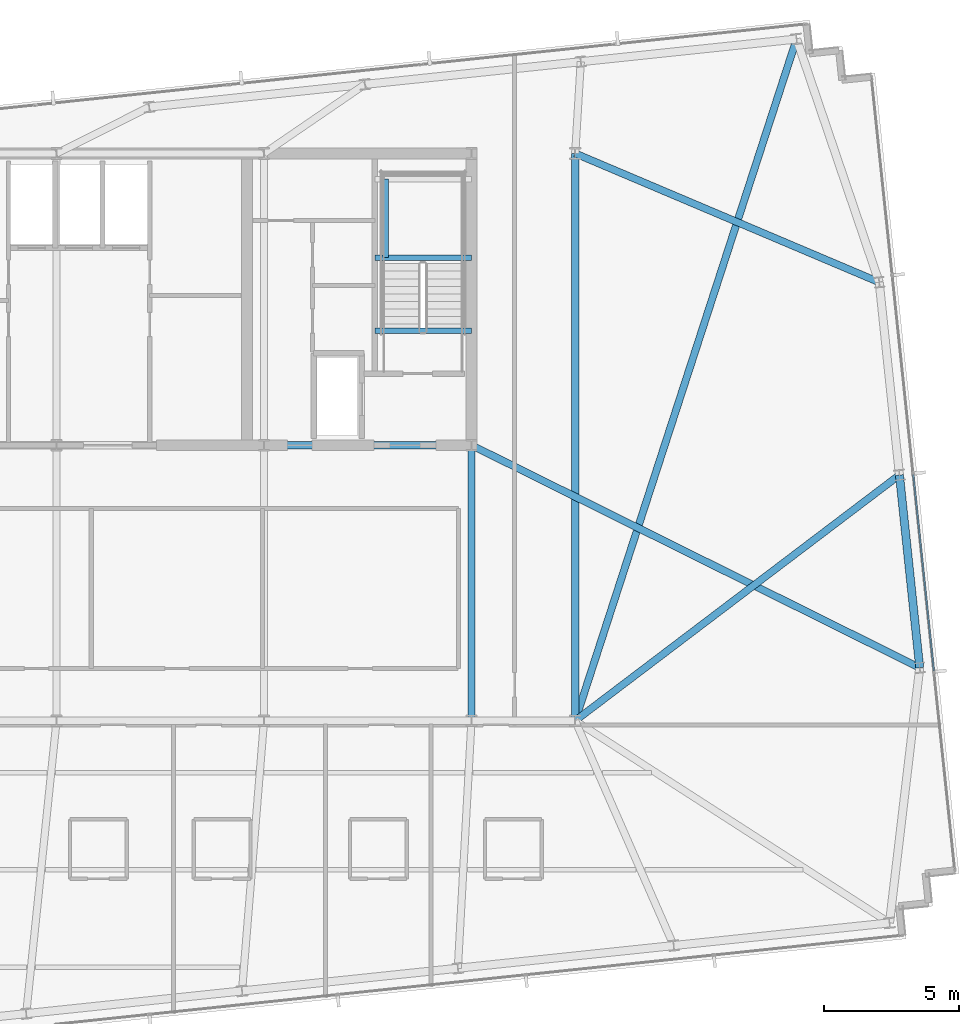
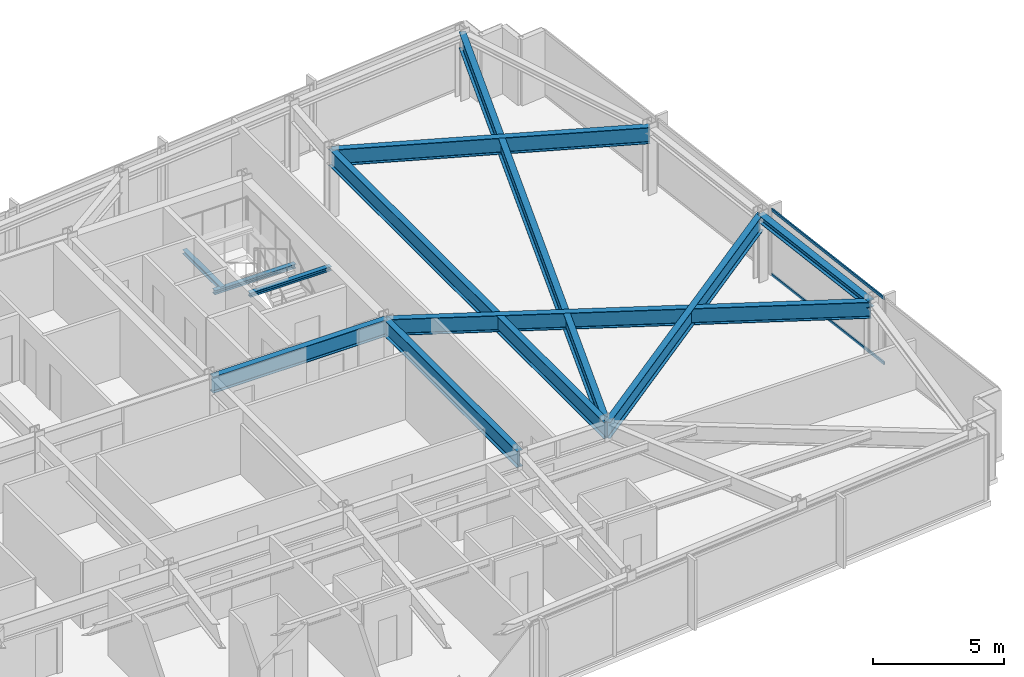
# One storey, part 18 of 33: 11 beams, 2 members, 1 element without a shape of its own.
"""IFC4 building model written with IfcOpenShell, lengths in metres."""

from ifc_helpers import new_model, si_unit, direction, frame, origin, origin_2d, place, context, subcontext, project, spatial, hollow_rectangle, i_section, extrude, material, material_profile, profile_set, type_object, element, aggregate, save


model = new_model("IFC4")

# Units and contexts
model_context = context("Model", 3, precision=1e-05, world=origin(), true_north=direction((0.0, 1.0)))
body_context = subcontext(model_context, "Body", "Model", "MODEL_VIEW")
ifc_project = project(units=[si_unit("LENGTHUNIT", "METRE"), si_unit("AREAUNIT", "SQUARE_METRE"), si_unit("VOLUMEUNIT", "CUBIC_METRE"), si_unit("PLANEANGLEUNIT", "RADIAN"), si_unit("MASSUNIT", "GRAM", prefix="KILO")], contexts=[model_context])

# Site, building, storey
site_placement = place(None, origin())
site = spatial("IfcSite", under=ifc_project, at=site_placement, CompositionType="ELEMENT")
building_placement = place(site_placement, origin())
building = spatial("IfcBuilding", under=site, at=building_placement, Name="Yelkora Congress Tower", CompositionType="ELEMENT")
storey_placement = place(building_placement, frame((0.0, 0.0, 240.800048828125)))
storey = spatial("IfcBuildingStorey", under=building, at=storey_placement, Name="L67", CompositionType="ELEMENT", Elevation=240.800048828125)

# Beams
ifc_material_1 = material(Name="Steel S355J2", Category="steel")
ifc_material_profile_1 = material_profile(ifc_material_1, i_section(OverallWidth=0.26708984375, OverallDepth=0.761962890625, WebThickness=0.014404296875, FlangeThickness=0.021484375, FilletRadius=0.01708984375, at=origin_2d()), Name="IPE 750x173")
ifc_profile_set_1 = profile_set([ifc_material_profile_1], Name="Steel S355J2")
beam_type_1 = type_object("IfcBeamType", Name="BM-GIRD-IPE750", PredefinedType="BEAM", material=ifc_profile_set_1)
beam_1_placement = place(storey_placement, frame((46.080078125, 35.39990234375, 2.698974609375), z_axis=(1.0, 0.0, 0.0), x_axis=(0.0, 1.0, 0.0)))
element("IfcBeam", 1, at=beam_1_placement, inside=storey, type_object=beam_type_1, Name="L67 Core South Girder 4", PredefinedType="BEAM", context=body_context, shape_type="SweptSolid", body=[
    extrude(i_section(OverallWidth=0.26708984375, OverallDepth=0.761962890625, WebThickness=0.014404296875, FlangeThickness=0.021484375, FilletRadius=0.01708984375, at=origin_2d()), origin(), (0.0, 0.0, 1.0), 7.679931640625),
])
beam_2_placement = place(storey_placement, frame((53.760009765625, 25.199951171875, 2.698974609375), z_axis=(0.0, 1.0, 0.0), x_axis=(-1.0, 0.0, 0.0)))
element("IfcBeam", 2, at=beam_2_placement, inside=storey, type_object=beam_type_1, Name="L67 Core Tie Girder MC-D5", PredefinedType="BEAM", context=body_context, shape_type="SweptSolid", body=[
    extrude(i_section(OverallWidth=0.26708984375, OverallDepth=0.761962890625, WebThickness=0.014404296875, FlangeThickness=0.021484375, FilletRadius=0.01708984375, at=origin_2d()), origin(), (0.0, 0.0, 1.0), 10.199951171875),
])
beam_3_placement = place(storey_placement, frame((57.60009765625, 25.199951171875, 2.698974609375), z_axis=(0.0, 1.0, 0.0), x_axis=(-1.0, 0.0, 0.0)))
element("IfcBeam", 3, at=beam_3_placement, inside=storey, type_object=beam_type_1, Name="L67 Neck Flank Girder MC-F2", PredefinedType="BEAM", context=body_context, shape_type="SweptSolid", body=[
    extrude(i_section(OverallWidth=0.26708984375, OverallDepth=0.761962890625, WebThickness=0.014404296875, FlangeThickness=0.021484375, FilletRadius=0.01708984375, at=origin_2d()), origin(), (0.0, 0.0, 1.0), 21.0),
])
beam_4_placement = place(storey_placement, frame((65.7958984375, 50.4365234375, 2.698974609375), z_axis=(-0.308878638672, -0.951101459663, 0.0), x_axis=(0.951101459663, -0.308878638672, 0.0)))
element("IfcBeam", 4, at=beam_4_placement, inside=storey, type_object=beam_type_1, Name="L67 Primary Frame Girder N07", PredefinedType="BEAM", context=body_context, shape_type="SweptSolid", body=[
    extrude(i_section(OverallWidth=0.26708984375, OverallDepth=0.761962890625, WebThickness=0.014404296875, FlangeThickness=0.021484375, FilletRadius=0.01708984375, at=origin_2d()), origin(), (0.0, 0.0, 1.0), 26.533935546875),
])
beam_5_placement = place(storey_placement, frame((70.35400390625, 27.160400390625, 2.698974609375), z_axis=(-0.895665070913, 0.444729221826, 0.0), x_axis=(-0.444729221826, -0.895665070913, 0.0)))
element("IfcBeam", 5, at=beam_5_placement, inside=storey, type_object=beam_type_1, Name="L67 Primary Frame Girder E01", PredefinedType="BEAM", context=body_context, shape_type="SweptSolid", body=[
    extrude(i_section(OverallWidth=0.26708984375, OverallDepth=0.761962890625, WebThickness=0.014404296875, FlangeThickness=0.021484375, FilletRadius=0.01708984375, at=origin_2d()), origin(), (0.0, 0.0, 1.0), 18.527099609375),
])
beam_6_placement = place(storey_placement, frame((69.60400390625, 34.296142578125, 2.698974609375), z_axis=(-0.797017901034, -0.603955681678, 0.0), x_axis=(0.603955681678, -0.797017901034, 0.0)))
element("IfcBeam", 6, at=beam_6_placement, inside=storey, type_object=beam_type_1, Name="L67 Primary Frame Girder E02", PredefinedType="BEAM", context=body_context, shape_type="SweptSolid", body=[
    extrude(i_section(OverallWidth=0.26708984375, OverallDepth=0.761962890625, WebThickness=0.014404296875, FlangeThickness=0.021484375, FilletRadius=0.01708984375, at=origin_2d()), origin(), (0.0, 0.0, 1.0), 15.06103515625),
])
beam_7_placement = place(storey_placement, frame((68.85400390625, 41.431884765625, 2.698974609375), z_axis=(-0.920767530621, 0.390111720606, 0.0), x_axis=(-0.390111720606, -0.920767530621, 0.0)))
element("IfcBeam", 7, at=beam_7_placement, inside=storey, type_object=beam_type_1, Name="L67 Primary Frame Girder E03", PredefinedType="BEAM", context=body_context, shape_type="SweptSolid", body=[
    extrude(i_section(OverallWidth=0.26708984375, OverallDepth=0.761962890625, WebThickness=0.014404296875, FlangeThickness=0.021484375, FilletRadius=0.01708984375, at=origin_2d()), origin(), (0.0, 0.0, 1.0), 12.222412109375),
])
ifc_material_profile_2 = material_profile(ifc_material_1, i_section(OverallWidth=0.199951171875, OverallDepth=0.18994140625, WebThickness=0.006591796875, FlangeThickness=0.010009765625, FilletRadius=0.01806640625, at=origin_2d()), Name="HEA 200")
ifc_profile_set_2 = profile_set([ifc_material_profile_2], Name="Steel S355J2")
beam_type_2 = type_object("IfcBeamType", Name="BM-LAND-HEA200", PredefinedType="BEAM", material=ifc_profile_set_2)
beam_8_placement = place(storey_placement, frame((50.179931640625, 42.340087890625, 1.33447265625), z_axis=(1.0, 0.0, 0.0), x_axis=(0.0, 1.0, 0.0)))
element("IfcBeam", 8, at=beam_8_placement, inside=storey, type_object=beam_type_2, Name="ST-02 L67 Landing Header Beam 1S", PredefinedType="BEAM", context=body_context, shape_type="SweptSolid", body=[
    extrude(i_section(OverallWidth=0.199951171875, OverallDepth=0.18994140625, WebThickness=0.006591796875, FlangeThickness=0.010009765625, FilletRadius=0.01806640625, at=origin_2d()), origin(), (0.0, 0.0, 1.0), 3.580078125),
])
beam_9_placement = place(storey_placement, frame((50.580078125, 42.340087890625, 1.33447265625), z_axis=(0.0, 1.0, 0.0), x_axis=(-1.0, 0.0, 0.0)))
element("IfcBeam", 9, at=beam_9_placement, inside=storey, type_object=beam_type_2, Name="ST-02 L67 Landing Trimmer Beam 1M", PredefinedType="BEAM", context=body_context, shape_type="SweptSolid", body=[
    extrude(i_section(OverallWidth=0.199951171875, OverallDepth=0.18994140625, WebThickness=0.006591796875, FlangeThickness=0.010009765625, FilletRadius=0.01806640625, at=origin_2d()), origin(), (0.0, 0.0, 1.0), 2.909912109375),
])
beam_10_placement = place(storey_placement, frame((50.179931640625, 39.639892578125, 2.853759765625), z_axis=(1.0, 0.0, 0.0), x_axis=(0.0, 1.0, 0.0)))
element("IfcBeam", 10, at=beam_10_placement, inside=storey, type_object=beam_type_2, Name="ST-02 L67 Floor Arrival Stringer Header Beam", PredefinedType="BEAM", context=body_context, shape_type="SweptSolid", body=[
    extrude(i_section(OverallWidth=0.199951171875, OverallDepth=0.18994140625, WebThickness=0.006591796875, FlangeThickness=0.010009765625, FilletRadius=0.01806640625, at=origin_2d()), origin(), (0.0, 0.0, 1.0), 3.580078125),
])
ifc_material_profile_3 = material_profile(ifc_material_1, i_section(OverallWidth=0.300048828125, OverallDepth=0.340087890625, WebThickness=0.011962890625, FlangeThickness=0.021484375, FilletRadius=0.027099609375, at=origin_2d()), Name="HEB 340")
ifc_profile_set_3 = profile_set([ifc_material_profile_3], Name="Steel S355J2")
beam_type_3 = type_object("IfcBeamType", Name="BM-SPAN-HEB340", PredefinedType="SPANDREL", material=ifc_profile_set_3)
beam_11_placement = place(storey_placement, frame((70.35400390625, 27.160400390625, 2.909912109375), z_axis=(-0.104528914631, 0.994521847928, 0.0), x_axis=(-0.994521847928, -0.104528914631, 0.0)))
element("IfcBeam", 11, at=beam_11_placement, inside=storey, type_object=beam_type_3, Name="L67 Perimeter Beam 10", PredefinedType="SPANDREL", context=body_context, shape_type="SweptSolid", body=[
    extrude(i_section(OverallWidth=0.300048828125, OverallDepth=0.340087890625, WebThickness=0.011962890625, FlangeThickness=0.021484375, FilletRadius=0.027099609375, at=origin_2d()), origin(), (0.0, 0.0, 1.0), 7.175048828125),
])

# Curtain wall, members
ifc_material_2 = material(Name="Anodised aluminium and insulated glass", Category="aluminium")
curtain_wall_type = type_object("IfcCurtainWallType", Name="CW-SYS-B4", PredefinedType="NOTDEFINED", material=ifc_material_2)
curtain_wall_placement = place(storey_placement, origin())
curtain_wall = element("IfcCurtainWall", 12, at=curtain_wall_placement, inside=storey, type_object=curtain_wall_type, Name="L67 Unitised Curtain Wall 15", PredefinedType="NOTDEFINED")
ifc_material_3 = material(Name="Anodised aluminium 6063-T6", Category="aluminium")
ifc_material_profile_4 = material_profile(ifc_material_3, hollow_rectangle(XDim=0.06005859375, YDim=0.1298828125, WallThickness=0.00390625, at=origin_2d()), Name="ALU 60x130x4")
ifc_profile_set_4 = profile_set([ifc_material_profile_4], Name="Anodised aluminium 6063-T6")
member_type = type_object("IfcMemberType", Name="MEM-TR-B4", PredefinedType="USERDEFINED", material=ifc_profile_set_4)
member_1_placement = place(storey_placement, frame((70.114501953125, 34.317138671875, 0.030029296875), z_axis=(0.104531896307, -0.994521534535, 0.0), x_axis=(0.994521534535, 0.104531896307, 0.0)))
member_1 = element("IfcMember", 13, at=member_1_placement, type_object=member_type, Name="CW-B4 transom 3.1", ObjectType="TRANSOM", PredefinedType="USERDEFINED", context=body_context, shape_type="SweptSolid", body=[
    extrude(hollow_rectangle(XDim=0.06005859375, YDim=0.1298828125, WallThickness=0.00390625, at=origin_2d()), origin(), (0.0, 0.0, 1.0), 7.31494140625),
])
member_2_placement = place(storey_placement, frame((70.114501953125, 34.317138671875, 3.050048828125), z_axis=(0.104531896307, -0.994521534535, 0.0), x_axis=(0.994521534535, 0.104531896307, 0.0)))
member_2 = element("IfcMember", 14, at=member_2_placement, type_object=member_type, Name="CW-B4 transom 3.2", ObjectType="TRANSOM", PredefinedType="USERDEFINED", context=body_context, shape_type="SweptSolid", body=[
    extrude(hollow_rectangle(XDim=0.06005859375, YDim=0.1298828125, WallThickness=0.00390625, at=origin_2d()), origin(), (0.0, 0.0, 1.0), 7.31494140625),
])
aggregate(curtain_wall, [member_1, member_2])

save(model, "model.ifc")
